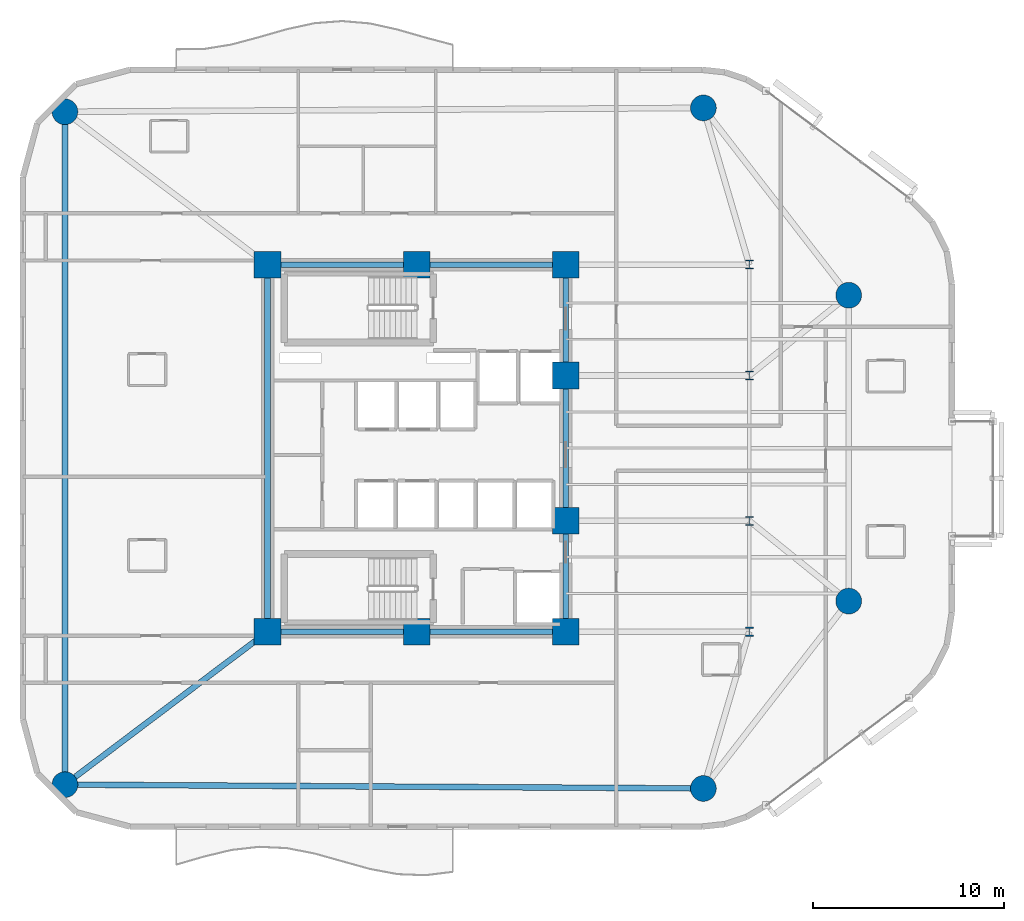
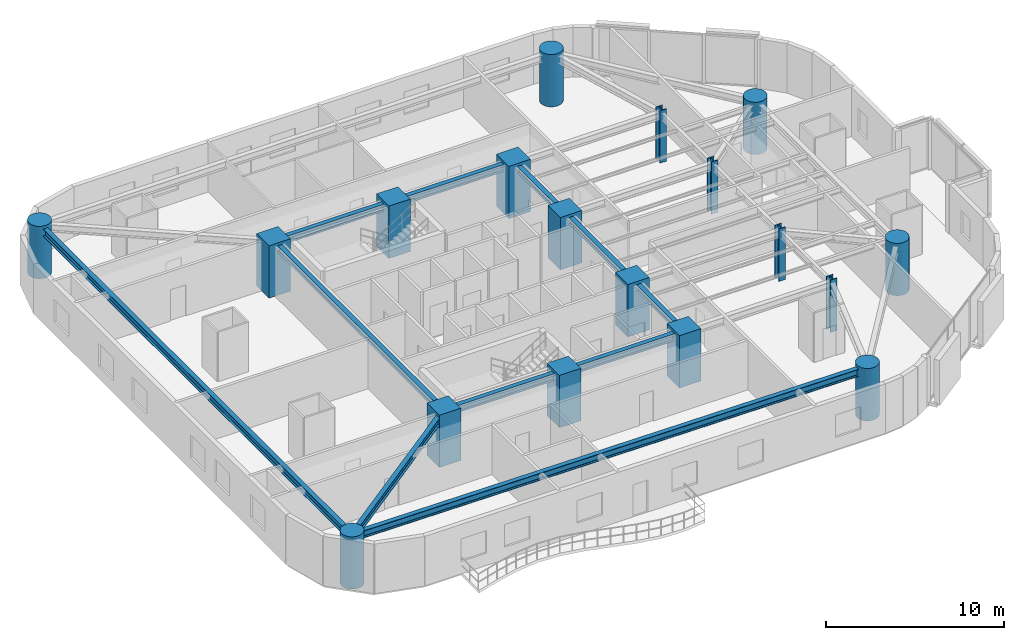
# One storey, part 1 of 14: 18 columns, 9 beams.
"""IFC4 building model written with IfcOpenShell, lengths in metres."""

from ifc_helpers import new_model, si_unit, direction, frame, origin, origin_2d, place, context, subcontext, project, spatial, rectangle, circle, i_section, extrude, material, material_profile, profile_set, type_object, element, save


model = new_model("IFC4")

# Units and contexts
model_context = context("Model", 3, precision=1e-05, world=origin(), true_north=direction((0.0, 1.0)))
body_context = subcontext(model_context, "Body", "Model", "MODEL_VIEW")
ifc_project = project(units=[si_unit("LENGTHUNIT", "METRE"), si_unit("AREAUNIT", "SQUARE_METRE"), si_unit("VOLUMEUNIT", "CUBIC_METRE"), si_unit("PLANEANGLEUNIT", "RADIAN"), si_unit("MASSUNIT", "GRAM", prefix="KILO")], contexts=[model_context])

# Site, building, storey
site_placement = place(None, origin())
site = spatial("IfcSite", under=ifc_project, at=site_placement, CompositionType="ELEMENT")
building_placement = place(site_placement, origin())
building = spatial("IfcBuilding", under=site, at=building_placement, Name="An Khanh Terracotta Commons", CompositionType="ELEMENT")
storey_placement = place(building_placement, frame((0.0, 0.0, 104.300048828125)))
storey = spatial("IfcBuildingStorey", under=building, at=storey_placement, Name="L27", CompositionType="ELEMENT", Elevation=104.300048828125)

# Columns
ifc_material_1 = material(Name="Concrete C70/85", Category="concrete")
ifc_material_profile_1 = material_profile(ifc_material_1, circle(Radius=0.675048828125, at=origin_2d()), Name="CFST1350")
ifc_profile_set_1 = profile_set([ifc_material_profile_1], Name="Concrete C70/85")
column_type_1 = type_object("IfcColumnType", Name="COL-CFST1350", PredefinedType="COLUMN", material=ifc_profile_set_1)
for number, where, z_axis, x_axis, name in (
    (1, (11.0, 6.39990234375, 0.0), (0.0, 0.0, 1.0), (1.0, 0.0, 0.0), "L27 Perimeter CFST Mega-Column MC-01"),
    (2, (44.39990234375, 6.199951171875, 0.0), (0.0, 0.0, 1.0), (1.0, 0.0, 0.0), "L27 Perimeter CFST Mega-Column MC-02"),
    (3, (52.0, 16.0, 0.0), (0.0, 0.0, 1.0), (1.0, 0.0, 0.0), "L27 Perimeter CFST Mega-Column MC-03"),
    (4, (52.0, 32.0, 0.0), (0.0, 0.0, 1.0), (1.0, 0.0, 0.0), "L27 Perimeter CFST Mega-Column MC-04"),
    (5, (44.39990234375, 41.800048828125, 0.0), (0.0, 0.0, 1.0), (1.0, 0.0, 0.0), "L27 Perimeter CFST Mega-Column MC-05"),
    (6, (11.0, 41.60009765625, 0.0), (0.0, 0.0, 1.0), (1.0, 0.0, 0.0), "L27 Perimeter CFST Mega-Column MC-06"),
):
    element("IfcColumn", number, at=place(storey_placement, frame(where, z_axis=z_axis, x_axis=x_axis)), inside=storey, type_object=column_type_1, Name=name, PredefinedType="COLUMN", context=body_context, shape_type="SweptSolid", body=[
        extrude(circle(Radius=0.675048828125, at=origin_2d()), origin(), (0.0, 0.0, 1.0), 3.599853515625),
    ])
ifc_material_2 = material(Name="Steel S460ML", Category="steel")
ifc_material_profile_2 = material_profile(ifc_material_2, i_section(OverallWidth=0.4169921875, OverallDepth=0.47705078125, WebThickness=0.035888671875, FlangeThickness=0.057373046875, FilletRadius=0.014892578125, at=origin_2d()), Name="HD400x463")
ifc_profile_set_2 = profile_set([ifc_material_profile_2], Name="Steel S460ML")
column_type_2 = type_object("IfcColumnType", Name="COL-HD400x463", PredefinedType="COLUMN", material=ifc_profile_set_2)
for number, where, z_axis, x_axis, name in (
    (7, (46.800048828125, 14.39990234375, 0.0), (0.0, 0.0, 1.0), (1.0, 0.0, 0.0), "L27 Interior Frame Column TC-01"),
    (8, (46.800048828125, 20.199951171875, 0.0), (0.0, 0.0, 1.0), (1.0, 0.0, 0.0), "L27 Interior Frame Column TC-02"),
    (9, (46.800048828125, 27.800048828125, 0.0), (0.0, 0.0, 1.0), (1.0, 0.0, 0.0), "L27 Interior Frame Column TC-03"),
    (10, (46.800048828125, 33.60009765625, 0.0), (0.0, 0.0, 1.0), (1.0, 0.0, 0.0), "L27 Interior Frame Column TC-04"),
):
    element("IfcColumn", number, at=place(storey_placement, frame(where, z_axis=z_axis, x_axis=x_axis)), inside=storey, type_object=column_type_2, Name=name, PredefinedType="COLUMN", context=body_context, shape_type="SweptSolid", body=[
        extrude(i_section(OverallWidth=0.4169921875, OverallDepth=0.47705078125, WebThickness=0.035888671875, FlangeThickness=0.057373046875, FilletRadius=0.014892578125, at=origin_2d()), origin(), (0.0, 0.0, 1.0), 3.599853515625),
    ])
ifc_material_profile_3 = material_profile(ifc_material_1, rectangle(XDim=1.39990234375, YDim=1.39990234375, at=origin_2d()), Name="RC1400x1400")
ifc_profile_set_3 = profile_set([ifc_material_profile_3], Name="Concrete C70/85")
column_type_3 = type_object("IfcColumnType", Name="COL-RC1400x1400", PredefinedType="COLUMN", material=ifc_profile_set_3)
for number, where, z_axis, x_axis, name in (
    (11, (21.60009765625, 14.39990234375, 0.0), (0.0, 0.0, 1.0), (1.0, 0.0, 0.0), "L27 Core Boundary Column CC-01"),
    (12, (29.39990234375, 14.39990234375, 0.0), (0.0, 0.0, 1.0), (1.0, 0.0, 0.0), "L27 Core Boundary Column CC-02"),
    (13, (37.199951171875, 14.39990234375, 0.0), (0.0, 0.0, 1.0), (1.0, 0.0, 0.0), "L27 Core Boundary Column CC-03"),
    (14, (37.199951171875, 20.199951171875, 0.0), (0.0, 0.0, 1.0), (1.0, 0.0, 0.0), "L27 Core Boundary Column CC-04"),
    (15, (37.199951171875, 27.800048828125, 0.0), (0.0, 0.0, 1.0), (1.0, 0.0, 0.0), "L27 Core Boundary Column CC-05"),
    (16, (37.199951171875, 33.60009765625, 0.0), (0.0, 0.0, 1.0), (1.0, 0.0, 0.0), "L27 Core Boundary Column CC-06"),
    (17, (29.39990234375, 33.60009765625, 0.0), (0.0, 0.0, 1.0), (1.0, 0.0, 0.0), "L27 Core Boundary Column CC-07"),
    (18, (21.60009765625, 33.60009765625, 0.0), (0.0, 0.0, 1.0), (1.0, 0.0, 0.0), "L27 Core Boundary Column CC-08"),
):
    element("IfcColumn", number, at=place(storey_placement, frame(where, z_axis=z_axis, x_axis=x_axis)), inside=storey, type_object=column_type_3, Name=name, PredefinedType="COLUMN", context=body_context, shape_type="SweptSolid", body=[
        extrude(rectangle(XDim=1.39990234375, YDim=1.39990234375, at=origin_2d()), origin(), (0.0, 0.0, 1.0), 3.599853515625),
    ])

# Beams
ifc_material_3 = material(Name="Steel S355J2", Category="steel")
ifc_material_profile_4 = material_profile(ifc_material_3, i_section(OverallWidth=0.300048828125, OverallDepth=0.449951171875, WebThickness=0.013916015625, FlangeThickness=0.02587890625, FilletRadius=0.027099609375, at=origin_2d()), Name="HEB450")
ifc_profile_set_4 = profile_set([ifc_material_profile_4], Name="Steel S355J2")
beam_type_1 = type_object("IfcBeamType", Name="BM-HEB450", PredefinedType="BEAM", material=ifc_profile_set_4)
beam_1_placement = place(storey_placement, frame((37.199951171875, 14.39990234375, 3.175048828125), z_axis=(0.0, 1.0, 0.0), x_axis=(-1.0, 0.0, 0.0)))
element("IfcBeam", 19, at=beam_1_placement, inside=storey, type_object=beam_type_1, Name="L27 Core East Coupling Girder 1", PredefinedType="BEAM", context=body_context, shape_type="SweptSolid", body=[
    extrude(i_section(OverallWidth=0.300048828125, OverallDepth=0.449951171875, WebThickness=0.013916015625, FlangeThickness=0.02587890625, FilletRadius=0.027099609375, at=origin_2d()), origin(), (0.0, 0.0, 1.0), 5.800048828125),
])
beam_2_placement = place(storey_placement, frame((37.199951171875, 20.199951171875, 3.175048828125), z_axis=(0.0, 1.0, 0.0), x_axis=(-1.0, 0.0, 0.0)))
element("IfcBeam", 20, at=beam_2_placement, inside=storey, type_object=beam_type_1, Name="L27 Core East Coupling Girder 2", PredefinedType="BEAM", context=body_context, shape_type="SweptSolid", body=[
    extrude(i_section(OverallWidth=0.300048828125, OverallDepth=0.449951171875, WebThickness=0.013916015625, FlangeThickness=0.02587890625, FilletRadius=0.027099609375, at=origin_2d()), origin(), (0.0, 0.0, 1.0), 7.60009765625),
])
beam_3_placement = place(storey_placement, frame((37.199951171875, 27.800048828125, 3.175048828125), z_axis=(0.0, 1.0, 0.0), x_axis=(-1.0, 0.0, 0.0)))
element("IfcBeam", 21, at=beam_3_placement, inside=storey, type_object=beam_type_1, Name="L27 Core East Coupling Girder 3", PredefinedType="BEAM", context=body_context, shape_type="SweptSolid", body=[
    extrude(i_section(OverallWidth=0.300048828125, OverallDepth=0.449951171875, WebThickness=0.013916015625, FlangeThickness=0.02587890625, FilletRadius=0.027099609375, at=origin_2d()), origin(), (0.0, 0.0, 1.0), 5.800048828125),
])
beam_4_placement = place(storey_placement, frame((21.60009765625, 14.39990234375, 3.175048828125), z_axis=(0.0, 1.0, 0.0), x_axis=(-1.0, 0.0, 0.0)))
element("IfcBeam", 22, at=beam_4_placement, inside=storey, type_object=beam_type_1, Name="L27 Core West Coupling Girder", PredefinedType="BEAM", context=body_context, shape_type="SweptSolid", body=[
    extrude(i_section(OverallWidth=0.300048828125, OverallDepth=0.449951171875, WebThickness=0.013916015625, FlangeThickness=0.02587890625, FilletRadius=0.027099609375, at=origin_2d()), origin(), (0.0, 0.0, 1.0), 19.2001953125),
])
ifc_material_profile_5 = material_profile(ifc_material_3, i_section(OverallWidth=0.300048828125, OverallDepth=0.5, WebThickness=0.014404296875, FlangeThickness=0.028076171875, FilletRadius=0.027099609375, at=origin_2d()), Name="HEB500")
ifc_profile_set_5 = profile_set([ifc_material_profile_5], Name="Steel S355J2")
beam_type_2 = type_object("IfcBeamType", Name="BM-HEB500", PredefinedType="BEAM", material=ifc_profile_set_5)
for number, where, z_axis, x_axis, name in (
    (23, (21.60009765625, 14.39990234375, 3.14990234375), (1.0, 0.0, 0.0), (0.0, 1.0, 0.0), "L27 Core South Coupling Girder"),
    (24, (21.60009765625, 33.60009765625, 3.14990234375), (1.0, 0.0, 0.0), (0.0, 1.0, 0.0), "L27 Core North Coupling Girder"),
):
    element("IfcBeam", number, at=place(storey_placement, frame(where, z_axis=z_axis, x_axis=x_axis)), inside=storey, type_object=beam_type_2, Name=name, PredefinedType="BEAM", context=body_context, shape_type="SweptSolid", body=[
        extrude(i_section(OverallWidth=0.300048828125, OverallDepth=0.5, WebThickness=0.014404296875, FlangeThickness=0.028076171875, FilletRadius=0.027099609375, at=origin_2d()), origin(), (0.0, 0.0, 1.0), 15.599853515625),
    ])
beam_5_placement = place(storey_placement, frame((11.0, 6.39990234375, 3.14990234375), z_axis=(0.999982080914, -0.005986472262, 0.0), x_axis=(0.005986472262, 0.999982080914, 0.0)))
element("IfcBeam", 25, at=beam_5_placement, inside=storey, type_object=beam_type_2, Name="L27 Perimeter Ring Spandrel 1", PredefinedType="BEAM", context=body_context, shape_type="SweptSolid", body=[
    extrude(i_section(OverallWidth=0.300048828125, OverallDepth=0.5, WebThickness=0.014404296875, FlangeThickness=0.028076171875, FilletRadius=0.027099609375, at=origin_2d()), origin(), (0.0, 0.0, 1.0), 33.400390625),
])
beam_6_placement = place(storey_placement, frame((11.0, 41.60009765625, 3.14990234375), z_axis=(0.0, -1.0, 0.0), x_axis=(1.0, 0.0, 0.0)))
element("IfcBeam", 26, at=beam_6_placement, inside=storey, type_object=beam_type_2, Name="L27 Perimeter Ring Spandrel 6", PredefinedType="BEAM", context=body_context, shape_type="SweptSolid", body=[
    extrude(i_section(OverallWidth=0.300048828125, OverallDepth=0.5, WebThickness=0.014404296875, FlangeThickness=0.028076171875, FilletRadius=0.027099609375, at=origin_2d()), origin(), (0.0, 0.0, 1.0), 35.2001953125),
])
beam_7_placement = place(storey_placement, frame((11.0, 6.39990234375, 3.14990234375), z_axis=(0.798191818888, 0.602403370061, 0.0), x_axis=(-0.602403370061, 0.798191818888, 0.0)))
element("IfcBeam", 27, at=beam_7_placement, inside=storey, type_object=beam_type_2, Name="L27 Mega-Column Tie Girder 1", PredefinedType="BEAM", context=body_context, shape_type="SweptSolid", body=[
    extrude(i_section(OverallWidth=0.300048828125, OverallDepth=0.5, WebThickness=0.014404296875, FlangeThickness=0.028076171875, FilletRadius=0.027099609375, at=origin_2d()), origin(), (0.0, 0.0, 1.0), 13.280029296875),
])

save(model, "model.ifc")
